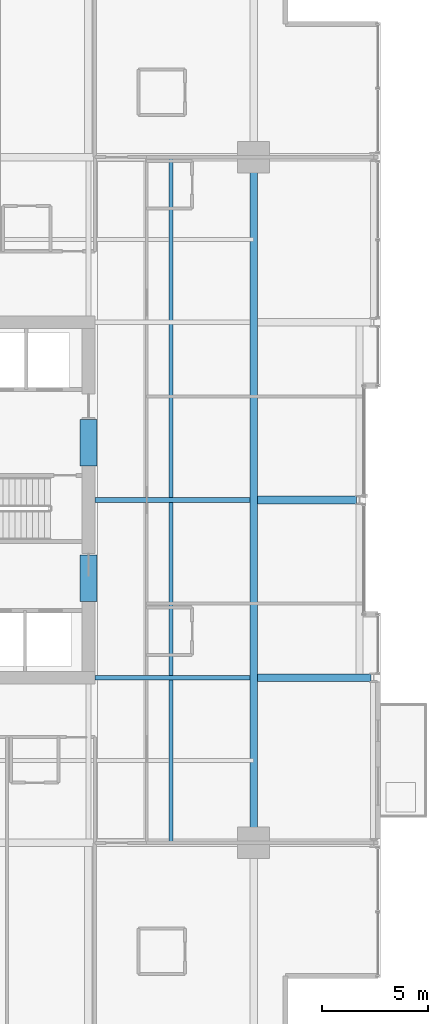
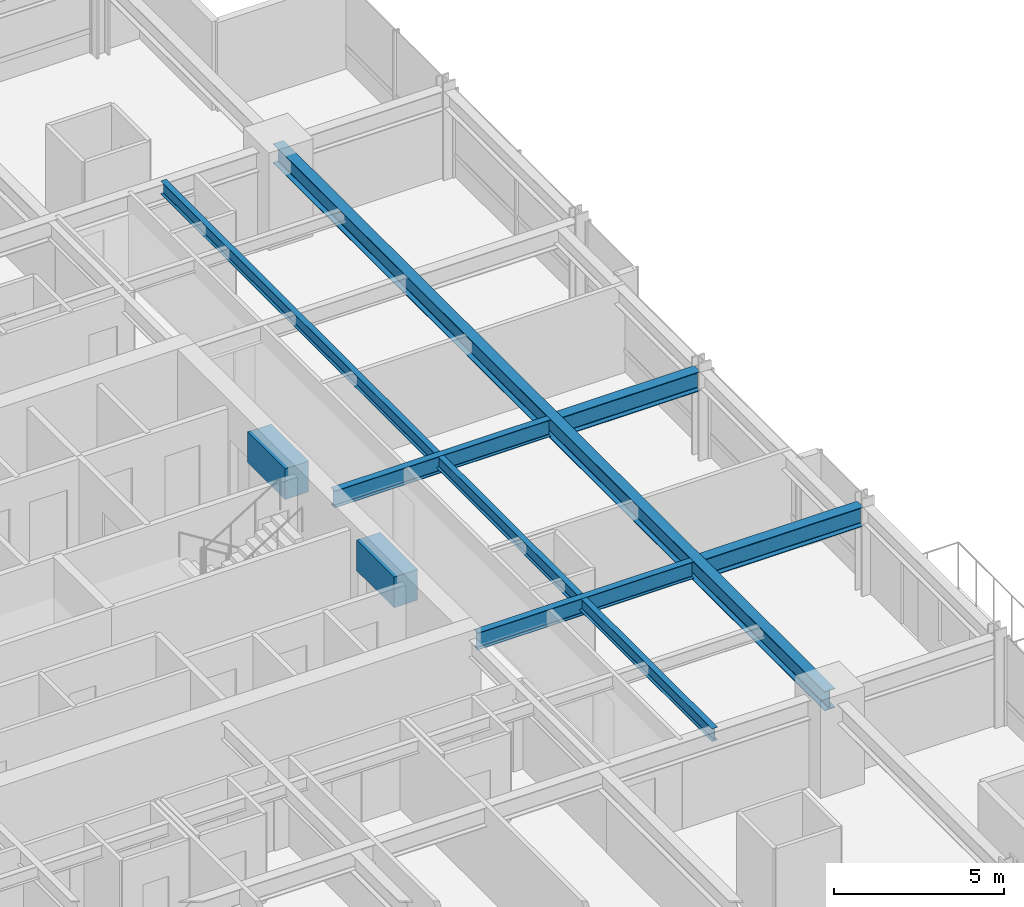
# One storey, part 14 of 35: 8 beams.
"""IFC4 building model written with IfcOpenShell, lengths in metres."""

from ifc_helpers import new_model, si_unit, direction, frame, origin, origin_2d, place, context, subcontext, project, spatial, rectangle, i_section, extrude, material, material_profile, profile_set, type_object, element, save


model = new_model("IFC4")

# Units and contexts
model_context = context("Model", 3, precision=1e-05, world=origin(), true_north=direction((0.0, 1.0)))
body_context = subcontext(model_context, "Body", "Model", "MODEL_VIEW")
ifc_project = project(units=[si_unit("LENGTHUNIT", "METRE"), si_unit("AREAUNIT", "SQUARE_METRE"), si_unit("VOLUMEUNIT", "CUBIC_METRE"), si_unit("PLANEANGLEUNIT", "RADIAN"), si_unit("MASSUNIT", "GRAM", prefix="KILO")], contexts=[model_context])

# Site, building, storey
site_placement = place(None, origin())
site = spatial("IfcSite", under=ifc_project, at=site_placement, CompositionType="ELEMENT")
building_placement = place(site_placement, origin())
building = spatial("IfcBuilding", under=site, at=building_placement, Name="Drelvath Grand Hotel", CompositionType="ELEMENT")
storey_placement = place(building_placement, frame((0.0, 0.0, 137.300048828125)))
storey = spatial("IfcBuildingStorey", under=building, at=storey_placement, Name="L35", CompositionType="ELEMENT", Elevation=137.300048828125)

# Beams
ifc_material_1 = material(Name="Steel ASTM A992 Gr 50", Category="steel")
ifc_material_profile_1 = material_profile(ifc_material_1, i_section(OverallWidth=0.19140625, OverallDepth=0.4599609375, WebThickness=0.010009765625, FlangeThickness=0.01611328125, FilletRadius=0.01611328125, at=origin_2d()), Name="W18X55")
ifc_profile_set_1 = profile_set([ifc_material_profile_1], Name="Steel ASTM A992 Gr 50")
beam_type_1 = type_object("IfcBeamType", Name="Composite Floor Joist W18X55", PredefinedType="JOIST", material=ifc_profile_set_1)
beam_1_placement = place(storey_placement, frame((12.300048828125, 10.800048828125, 2.949951171875), z_axis=(0.0, 1.0, 0.0), x_axis=(-1.0, 0.0, 0.0)))
element("IfcBeam", 1, at=beam_1_placement, inside=storey, type_object=beam_type_1, Name="L35 Wing Floor Joist J4", PredefinedType="JOIST", context=body_context, shape_type="SweptSolid", body=[
    extrude(i_section(OverallWidth=0.19140625, OverallDepth=0.4599609375, WebThickness=0.010009765625, FlangeThickness=0.01611328125, FilletRadius=0.01611328125, at=origin_2d()), origin(), (0.0, 0.0, 1.0), 32.39990234375),
])
ifc_material_2 = material(Name="Concrete f'c 70 MPa", Category="concrete")
ifc_material_profile_2 = material_profile(ifc_material_2, rectangle(XDim=0.800048828125, YDim=1.10009765625, at=origin_2d()), Name="CB800X1100")
ifc_profile_set_2 = profile_set([ifc_material_profile_2], Name="Concrete f'c 70 MPa")
beam_type_2 = type_object("IfcBeamType", Name="Core Coupling Lintel CB800X1100", PredefinedType="LINTEL", material=ifc_profile_set_2)
for number, where, z_axis, x_axis, name in (
    (2, (8.39990234375, 22.199951171875, 2.6298828125), (0.0, 1.0, 0.0), (-1.0, 0.0, 0.0), "L35 Core Coupling Lintel ES"),
    (3, (8.39990234375, 28.60009765625, 2.6298828125), (0.0, 1.0, 0.0), (-1.0, 0.0, 0.0), "L35 Core Coupling Lintel EN"),
):
    element("IfcBeam", number, at=place(storey_placement, frame(where, z_axis=z_axis, x_axis=x_axis)), inside=storey, type_object=beam_type_2, Name=name, PredefinedType="LINTEL", context=body_context, shape_type="SweptSolid", body=[
        extrude(rectangle(XDim=0.800048828125, YDim=1.10009765625, at=origin_2d()), origin(), (0.0, 0.0, 1.0), 2.199951171875),
    ])
ifc_material_profile_3 = material_profile(ifc_material_1, i_section(OverallWidth=0.228271484375, OverallDepth=0.607666015625, WebThickness=0.01123046875, FlangeThickness=0.017333984375, FilletRadius=0.02001953125, at=origin_2d()), Name="W24X76")
ifc_profile_set_3 = profile_set([ifc_material_profile_3], Name="Steel ASTM A992 Gr 50")
beam_type_3 = type_object("IfcBeamType", Name="Primary Floor Girder W24X76", PredefinedType="BEAM", material=ifc_profile_set_3)
for number, where, z_axis, x_axis, name in (
    (4, (8.699951171875, 18.60009765625, 2.876220703125), (1.0, 0.0, 0.0), (0.0, 1.0, 0.0), "L35 East Core Tie D"),
    (5, (8.699951171875, 27.0, 2.876220703125), (1.0, 0.0, 0.0), (0.0, 1.0, 0.0), "L35 East Core Tie E"),
):
    element("IfcBeam", number, at=place(storey_placement, frame(where, z_axis=z_axis, x_axis=x_axis)), inside=storey, type_object=beam_type_3, Name=name, PredefinedType="BEAM", context=body_context, shape_type="SweptSolid", body=[
        extrude(i_section(OverallWidth=0.228271484375, OverallDepth=0.607666015625, WebThickness=0.01123046875, FlangeThickness=0.017333984375, FilletRadius=0.02001953125, at=origin_2d()), origin(), (0.0, 0.0, 1.0), 7.32275390625),
    ])
ifc_material_profile_4 = material_profile(ifc_material_1, i_section(OverallWidth=0.354736328125, OverallDepth=0.695556640625, WebThickness=0.015380859375, FlangeThickness=0.025146484375, FilletRadius=0.02392578125, at=origin_2d()), Name="W27X146")
ifc_profile_set_4 = profile_set([ifc_material_profile_4], Name="Steel ASTM A992 Gr 50")
beam_type_4 = type_object("IfcBeamType", Name="Primary Floor Girder W27X146", PredefinedType="BEAM", material=ifc_profile_set_4)
beam_2_placement = place(storey_placement, frame((16.199951171875, 10.800048828125, 2.83203125), z_axis=(0.0, 1.0, 0.0), x_axis=(-1.0, 0.0, 0.0)))
element("IfcBeam", 6, at=beam_2_placement, inside=storey, type_object=beam_type_4, Name="L35 Mega Ring Girder East", PredefinedType="BEAM", context=body_context, shape_type="SweptSolid", body=[
    extrude(i_section(OverallWidth=0.354736328125, OverallDepth=0.695556640625, WebThickness=0.015380859375, FlangeThickness=0.025146484375, FilletRadius=0.02392578125, at=origin_2d()), origin(), (0.0, 0.0, 1.0), 32.39990234375),
])
beam_3_placement = place(storey_placement, frame((16.37744140625, 18.60009765625, 2.83203125), z_axis=(1.0, 0.0, 0.0), x_axis=(0.0, 1.0, 0.0)))
element("IfcBeam", 7, at=beam_3_placement, inside=storey, type_object=beam_type_4, Name="L35 East Wing Girder D", PredefinedType="BEAM", context=body_context, shape_type="SweptSolid", body=[
    extrude(i_section(OverallWidth=0.354736328125, OverallDepth=0.695556640625, WebThickness=0.015380859375, FlangeThickness=0.025146484375, FilletRadius=0.02392578125, at=origin_2d()), origin(), (0.0, 0.0, 1.0), 5.362548828125),
])
beam_4_placement = place(storey_placement, frame((16.37744140625, 27.0, 2.83203125), z_axis=(1.0, 0.0, 0.0), x_axis=(0.0, 1.0, 0.0)))
element("IfcBeam", 8, at=beam_4_placement, inside=storey, type_object=beam_type_4, Name="L35 East Wing Girder E", PredefinedType="BEAM", context=body_context, shape_type="SweptSolid", body=[
    extrude(i_section(OverallWidth=0.354736328125, OverallDepth=0.695556640625, WebThickness=0.015380859375, FlangeThickness=0.025146484375, FilletRadius=0.02392578125, at=origin_2d()), origin(), (0.0, 0.0, 1.0), 4.6826171875),
])

save(model, "model.ifc")
